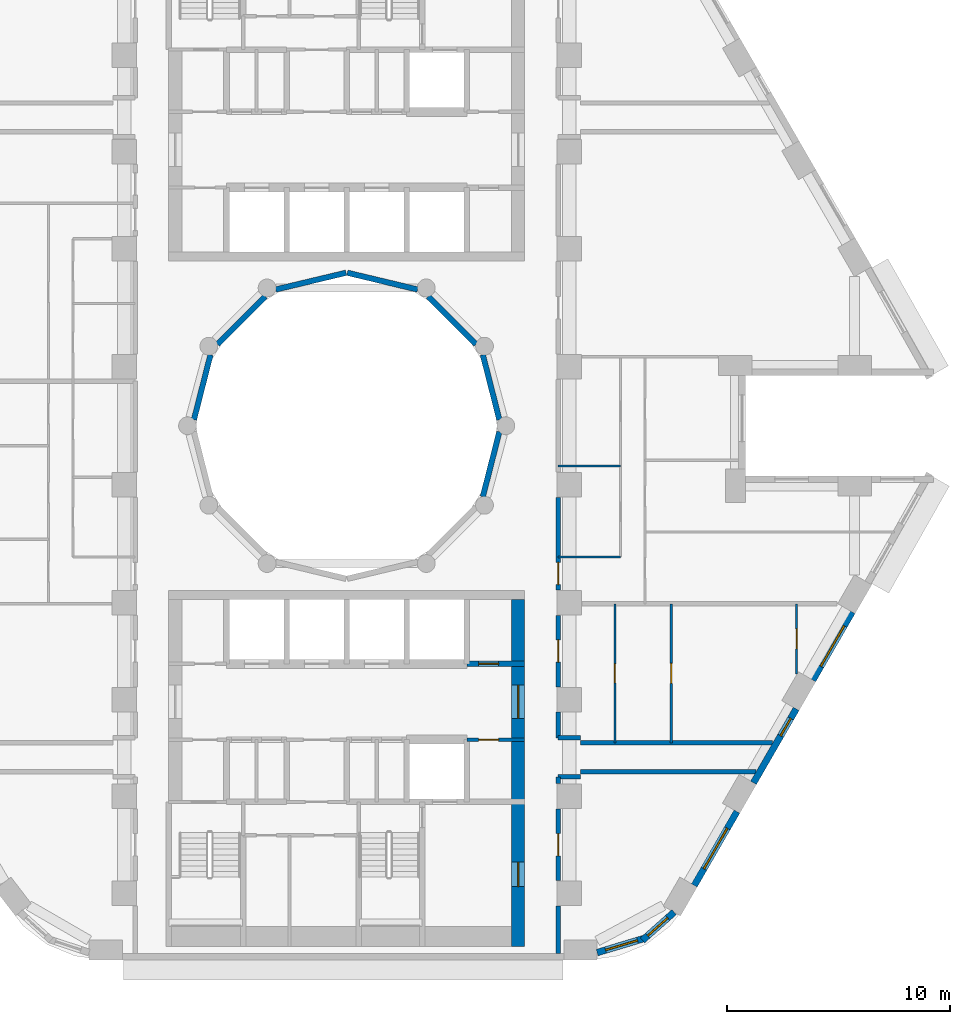
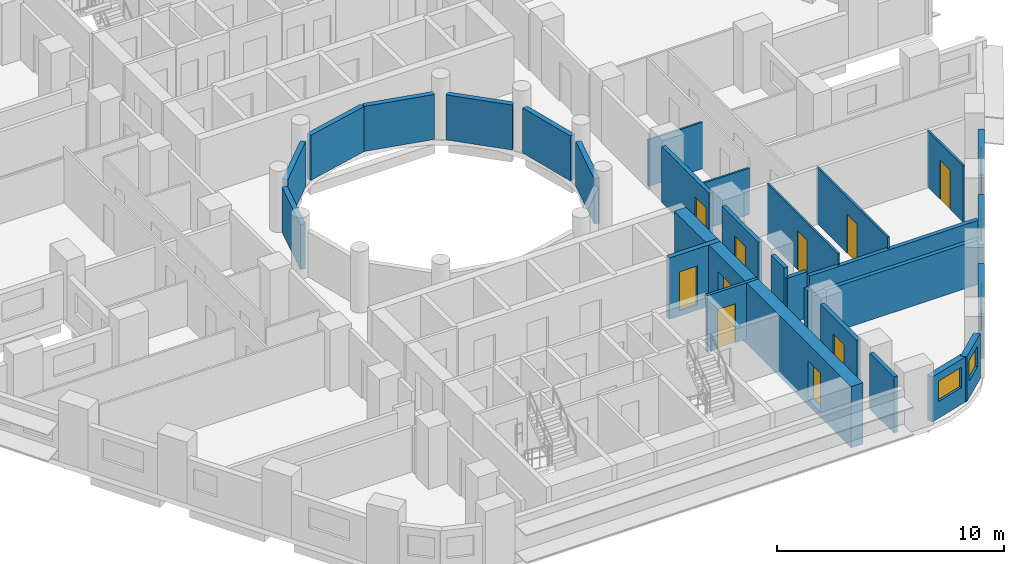
# One storey, part 5 of 12: 30 walls, 10 doors, 5 windows, 15 openings.
"""IFC4 building model written with IfcOpenShell, lengths in metres."""

from ifc_helpers import new_model, si_unit, direction, frame, frame_2d, origin, place, context, subcontext, project, spatial, rectangle, extrude, material, layer, layer_set, type_object, element, fill, save


model = new_model("IFC4")

# Units and contexts
model_context = context("Model", 3, precision=1e-05, world=origin(), true_north=direction((0.0, 1.0)))
body_context = subcontext(model_context, "Body", "Model", "MODEL_VIEW")
ifc_project = project(units=[si_unit("LENGTHUNIT", "METRE"), si_unit("AREAUNIT", "SQUARE_METRE"), si_unit("VOLUMEUNIT", "CUBIC_METRE"), si_unit("PLANEANGLEUNIT", "RADIAN"), si_unit("MASSUNIT", "GRAM", prefix="KILO")], contexts=[model_context])

# Site, building, storey
site_placement = place(None, origin())
site = spatial("IfcSite", under=ifc_project, at=site_placement, CompositionType="ELEMENT")
building_placement = place(site_placement, origin())
building = spatial("IfcBuilding", under=site, at=building_placement, Name="Nakaniwa Court", CompositionType="ELEMENT")
storey_placement = place(building_placement, frame((0.0, 0.0, 51.300048828125)))
storey = spatial("IfcBuildingStorey", under=building, at=storey_placement, Name="L13", CompositionType="ELEMENT", Elevation=51.300048828125)

# Wall
ifc_material_1 = material(Name="Acoustic double stud partition")
ifc_layer_1 = layer(ifc_material_1, 0.199951171875)
ifc_layer_set_1 = layer_set([ifc_layer_1], Name="Acoustic double stud partition")
wall_type_1 = type_object("IfcWallType", Name="Acoustic double stud partition 200", PredefinedType="PARTITIONING", material=ifc_layer_set_1)
wall_1_placement = place(storey_placement, frame((89.5, 56.300048828125, 0.0), z_axis=(0.0, 0.0, 1.0), x_axis=(0.0, 1.0, 0.0)))
element("IfcWall", 1, at=wall_1_placement, inside=storey, type_object=wall_type_1, Name="Partition PW-071", PredefinedType="PARTITIONING", context=body_context, shape_type="SweptSolid", body=[
    extrude(rectangle(XDim=2.133056640625, YDim=0.199951171875, at=frame_2d((1.06640625, 0.0))), origin(), (0.0, 0.0, 1.0), 3.02490234375),
])

# Wall, opening, door
wall_2_placement = place(storey_placement, frame((89.5, 62.782958984375, 0.0), z_axis=(0.0, 0.0, 1.0), x_axis=(0.0, -1.0, 0.0)))
wall_2 = element("IfcWall", 2, at=wall_2_placement, inside=storey, type_object=wall_type_1, Name="Partition PW-072", PredefinedType="PARTITIONING", context=body_context, shape_type="SweptSolid", body=[
    extrude(rectangle(XDim=3.216064453125, YDim=0.199951171875, at=frame_2d((1.60791015625, 0.0))), origin(), (0.0, 0.0, 1.0), 3.02490234375),
])
opening_1_placement = place(wall_2_placement, frame((1.10791015625, 0.0, 0.0)))
opening_1 = element("IfcOpeningElement", 3, at=opening_1_placement, cuts=wall_2, Name="Opening D-02-05", PredefinedType="OPENING", context=body_context, shape_type="SweptSolid", body=[
    extrude(rectangle(XDim=1.0, YDim=2.10009765625, at=frame_2d((0.5, 1.050048828125))), frame((0.0, 0.10986328125, 0.0), z_axis=(0.0, -1.0, 0.0), x_axis=(1.0, 0.0, 0.0)), (0.0, 0.0, 1.0), 0.219970703125),
])
ifc_material_2 = material(Name="Solid core timber door set, black veneer", Category="wood")
door_type_1 = type_object("IfcDoorType", Name="Internal door 1000", OperationType="NOTDEFINED", PredefinedType="DOOR", material=ifc_material_2)
door_1_placement = place(opening_1_placement, origin())
door_1 = element("IfcDoor", 4, at=door_1_placement, inside=storey, type_object=door_type_1, Name="Door D-02-05 L13-053", OperationType="SINGLE_SWING_RIGHT", OverallHeight=2.10009765625, OverallWidth=1.0, PredefinedType="DOOR", context=body_context, shape_type="SweptSolid", body=[
    extrude(rectangle(XDim=1.0, YDim=2.10009765625, at=frame_2d((0.5, 1.050048828125))), frame((0.0, 0.02490234375, 0.0), z_axis=(0.0, -1.0, 0.0), x_axis=(1.0, 0.0, 0.0)), (0.0, 0.0, 1.0), 0.050048828125),
])
fill(opening_1, door_1)

# Walls
wall_3_placement = place(storey_placement, frame((89.5, 63.9169921875, 0.0), z_axis=(0.0, 0.0, 1.0), x_axis=(0.0, 1.0, 0.0)))
element("IfcWall", 5, at=wall_3_placement, inside=storey, type_object=wall_type_1, Name="Partition PW-073", PredefinedType="PARTITIONING", context=body_context, shape_type="SweptSolid", body=[
    extrude(rectangle(XDim=0.31103515625, YDim=0.199951171875, at=frame_2d((0.155517578125, 0.0))), origin(), (0.0, 0.0, 1.0), 3.02490234375),
])
wall_4_placement = place(storey_placement, frame((89.5, 65.971923828125, 0.0), z_axis=(0.0, 0.0, 1.0), x_axis=(0.0, 1.0, 0.0)))
element("IfcWall", 6, at=wall_4_placement, inside=storey, type_object=wall_type_1, Name="Partition PW-074", PredefinedType="PARTITIONING", context=body_context, shape_type="SweptSolid", body=[
    extrude(rectangle(XDim=1.1611328125, YDim=0.199951171875, at=frame_2d((0.58056640625, 0.0))), origin(), (0.0, 0.0, 1.0), 3.02490234375),
])

# Wall, opening, door
wall_5_placement = place(storey_placement, frame((89.5, 71.48291015625, 0.0), z_axis=(0.0, 0.0, 1.0), x_axis=(0.0, -1.0, 0.0)))
wall_5 = element("IfcWall", 7, at=wall_5_placement, inside=storey, type_object=wall_type_1, Name="Partition PW-075", PredefinedType="PARTITIONING", context=body_context, shape_type="SweptSolid", body=[
    extrude(rectangle(XDim=3.2158203125, YDim=0.199951171875, at=frame_2d((1.60791015625, 0.0))), origin(), (0.0, 0.0, 1.0), 3.02490234375),
])
opening_2_placement = place(wall_5_placement, frame((1.10791015625, 0.0, 0.0)))
opening_2 = element("IfcOpeningElement", 8, at=opening_2_placement, cuts=wall_5, Name="Opening D-01-01", PredefinedType="OPENING", context=body_context, shape_type="SweptSolid", body=[
    extrude(rectangle(XDim=1.0, YDim=2.10009765625, at=frame_2d((0.5, 1.050048828125))), frame((0.0, 0.10986328125, 0.0), z_axis=(0.0, -1.0, 0.0), x_axis=(1.0, 0.0, 0.0)), (0.0, 0.0, 1.0), 0.219970703125),
])
door_type_2 = type_object("IfcDoorType", Name="Flat entrance door 1000", OperationType="NOTDEFINED", PredefinedType="DOOR", material=ifc_material_2)
door_2_placement = place(opening_2_placement, origin())
door_2 = element("IfcDoor", 9, at=door_2_placement, inside=storey, type_object=door_type_2, Name="Door D-01-01 L13-029", OperationType="SINGLE_SWING_RIGHT", OverallHeight=2.10009765625, OverallWidth=1.0, PredefinedType="DOOR", context=body_context, shape_type="SweptSolid", body=[
    extrude(rectangle(XDim=1.0, YDim=2.10009765625, at=frame_2d((0.5, 1.050048828125))), frame((0.0, 0.02490234375, 0.0), z_axis=(0.0, -1.0, 0.0), x_axis=(1.0, 0.0, 0.0)), (0.0, 0.0, 1.0), 0.050048828125),
])
fill(opening_2, door_2)

wall_6_placement = place(storey_placement, frame((89.5, 76.782958984375, 0.0), z_axis=(0.0, 0.0, 1.0), x_axis=(0.0, -1.0, 0.0)))
wall_6 = element("IfcWall", 10, at=wall_6_placement, inside=storey, type_object=wall_type_1, Name="Partition PW-076", PredefinedType="PARTITIONING", context=body_context, shape_type="SweptSolid", body=[
    extrude(rectangle(XDim=4.166015625, YDim=0.199951171875, at=frame_2d((2.0830078125, 0.0))), origin(), (0.0, 0.0, 1.0), 3.02490234375),
])
opening_3_placement = place(wall_6_placement, frame((2.923095703125, 0.0, 0.0)))
opening_3 = element("IfcOpeningElement", 11, at=opening_3_placement, cuts=wall_6, Name="Opening D-01-02", PredefinedType="OPENING", context=body_context, shape_type="SweptSolid", body=[
    extrude(rectangle(XDim=1.0, YDim=2.10009765625, at=frame_2d((0.5, 1.050048828125))), frame((0.0, 0.10986328125, 0.0), z_axis=(0.0, -1.0, 0.0), x_axis=(1.0, 0.0, 0.0)), (0.0, 0.0, 1.0), 0.219970703125),
])
door_3_placement = place(opening_3_placement, origin())
door_3 = element("IfcDoor", 12, at=door_3_placement, inside=storey, type_object=door_type_2, Name="Door D-01-02 L13-033", OperationType="SINGLE_SWING_RIGHT", OverallHeight=2.10009765625, OverallWidth=1.0, PredefinedType="DOOR", context=body_context, shape_type="SweptSolid", body=[
    extrude(rectangle(XDim=1.0, YDim=2.10009765625, at=frame_2d((0.5, 1.050048828125))), frame((0.0, 0.02490234375, 0.0), z_axis=(0.0, -1.0, 0.0), x_axis=(1.0, 0.0, 0.0)), (0.0, 0.0, 1.0), 0.050048828125),
])
fill(opening_3, door_3)

# Walls
wall_7_placement = place(storey_placement, frame((89.5, 65.97509765625, 0.0), z_axis=(0.0, 0.0, 1.0), x_axis=(1.0, 0.0, 0.0)))
element("IfcWall", 13, at=wall_7_placement, inside=storey, type_object=wall_type_1, Name="Partition PW-092", PredefinedType="PARTITIONING", context=body_context, shape_type="SweptSolid", body=[
    extrude(rectangle(XDim=1.0, YDim=0.199951171875, at=frame_2d((0.5, 0.0))), origin(), (0.0, 0.0, 1.0), 2.5048828125),
])
wall_8_placement = place(storey_placement, frame((90.5, 65.75, 0.0), z_axis=(0.0, 0.0, 1.0), x_axis=(1.0, 0.0, 0.0)))
element("IfcWall", 14, at=wall_8_placement, inside=storey, type_object=wall_type_1, Name="Partition PW-094", PredefinedType="PARTITIONING", context=body_context, shape_type="SweptSolid", body=[
    extrude(rectangle(XDim=8.63916015625, YDim=0.199951171875, at=frame_2d((4.319580078125, 0.0))), origin(), (0.0, 0.0, 1.0), 2.405029296875),
])
wall_9_placement = place(storey_placement, frame((90.5, 64.449951171875, 0.0), z_axis=(0.0, 0.0, 1.0), x_axis=(1.0, 0.0, 0.0)))
element("IfcWall", 15, at=wall_9_placement, inside=storey, type_object=wall_type_1, Name="Partition PW-096", PredefinedType="PARTITIONING", context=body_context, shape_type="SweptSolid", body=[
    extrude(rectangle(XDim=7.888671875, YDim=0.199951171875, at=frame_2d((3.9443359375, 0.0))), origin(), (0.0, 0.0, 1.0), 2.405029296875),
])
wall_10_placement = place(storey_placement, frame((89.5, 64.22509765625, 0.0), z_axis=(0.0, 0.0, 1.0), x_axis=(1.0, 0.0, 0.0)))
element("IfcWall", 16, at=wall_10_placement, inside=storey, type_object=wall_type_1, Name="Partition PW-098", PredefinedType="PARTITIONING", context=body_context, shape_type="SweptSolid", body=[
    extrude(rectangle(XDim=1.0, YDim=0.199951171875, at=frame_2d((0.5, 0.0))), origin(), (0.0, 0.0, 1.0), 2.5048828125),
])

# Wall, opening, window
ifc_material_3 = material(Name="Charcoal ceramic cladding")
ifc_layer_2 = layer(ifc_material_3, 0.02, Name="Ceramic cladding")
ifc_material_4 = material(Name="Ventilated air cavity")
ifc_layer_3 = layer(ifc_material_4, 0.04, ventilated=True, Name="Ventilated cavity")
ifc_material_5 = material(Name="Mineral wool insulation")
ifc_layer_4 = layer(ifc_material_5, 0.1, Name="Insulation")
ifc_material_6 = material(Name="Cement bonded sheathing board")
ifc_layer_5 = layer(ifc_material_6, 0.012, Name="Sheathing")
ifc_material_7 = material(Name="Cold-formed galvanised stud frame with mineral wool infill")
ifc_layer_6 = layer(ifc_material_7, 0.1, Name="Stud frame")
ifc_material_8 = material(Name="Fire-rated gypsum plasterboard lining")
ifc_layer_7 = layer(ifc_material_8, 0.028, Name="Lining")
ifc_layer_set_2 = layer_set([ifc_layer_2, ifc_layer_3, ifc_layer_4, ifc_layer_5, ifc_layer_6, ifc_layer_7], Name="Charcoal ceramic faced external wall system")
wall_type_2 = type_object("IfcWallType", Name="Black ceramic faced external wall 300", PredefinedType="SOLIDWALL", material=ifc_layer_set_2)
wall_11_placement = place(storey_placement, frame((91.25341796875, 56.331298828125, 0.0), z_axis=(0.0, 0.0, 1.0), x_axis=(0.957433631901, 0.288653495569, 0.0)))
wall_11 = element("IfcWall", 17, at=wall_11_placement, inside=storey, type_object=wall_type_2, Name="L13 external wall 27", PredefinedType="SOLIDWALL", context=body_context, shape_type="SweptSolid", body=[
    extrude(rectangle(XDim=2.212646484375, YDim=0.300048828125, at=frame_2d((1.1064453125, 0.0))), origin(), (0.0, 0.0, 1.0), 2.425048828125),
])
opening_4_placement = place(wall_11_placement, frame((0.394287109375, 0.0, 0.89990234375)))
opening_4 = element("IfcOpeningElement", 18, at=opening_4_placement, cuts=wall_11, Name="Opening W5.27", PredefinedType="OPENING", context=body_context, shape_type="SweptSolid", body=[
    extrude(rectangle(XDim=1.5, YDim=1.10009765625, at=frame_2d((0.75, 0.550048828125))), frame((0.0, 0.159912109375, 0.0), z_axis=(0.0, -1.0, 0.0), x_axis=(1.0, 0.0, 0.0)), (0.0, 0.0, 1.0), 0.320068359375),
])
ifc_material_9 = material(Name="Black anodised aluminium frame with dark low-E laminated double glazing", Category="aluminium")
window_type_1 = type_object("IfcWindowType", Name="Dark glass window 1500x1100 sill 900", PartitioningType="SINGLE_PANEL", PredefinedType="WINDOW", material=ifc_material_9)
window_1_placement = place(opening_4_placement, origin())
window_1 = element("IfcWindow", 19, at=window_1_placement, inside=storey, type_object=window_type_1, Name="L13 habitable room window 27-0", OverallHeight=1.10009765625, OverallWidth=1.5, PartitioningType="SINGLE_PANEL", PredefinedType="WINDOW", context=body_context, shape_type="SweptSolid", body=[
    extrude(rectangle(XDim=1.5, YDim=1.10009765625, at=frame_2d((0.75, 0.550048828125))), frame((0.0, 0.030029296875, 0.0), z_axis=(0.0, -1.0, 0.0), x_axis=(1.0, 0.0, 0.0)), (0.0, 0.0, 1.0), 0.06005859375),
])
fill(opening_4, window_1)

wall_12_placement = place(storey_placement, frame((93.288818359375, 56.882568359375, 0.0), z_axis=(0.0, 0.0, 1.0), x_axis=(0.746941556212, 0.664889698825, 0.0)))
wall_12 = element("IfcWall", 20, at=wall_12_placement, inside=storey, type_object=wall_type_2, Name="L13 external wall 28", PredefinedType="SOLIDWALL", context=body_context, shape_type="SweptSolid", body=[
    extrude(rectangle(XDim=1.9013671875, YDim=0.300048828125, at=frame_2d((0.95068359375, 0.0))), origin(), (0.0, 0.0, 1.0), 2.425048828125),
])
opening_5_placement = place(wall_12_placement, frame((0.31005859375, 0.0, 0.89990234375)))
opening_5 = element("IfcOpeningElement", 21, at=opening_5_placement, cuts=wall_12, Name="Opening W6.28", PredefinedType="OPENING", context=body_context, shape_type="SweptSolid", body=[
    extrude(rectangle(XDim=1.199951171875, YDim=1.10009765625, at=frame_2d((0.60009765625, 0.550048828125))), frame((0.0, 0.159912109375, 0.0), z_axis=(0.0, -1.0, 0.0), x_axis=(1.0, 0.0, 0.0)), (0.0, 0.0, 1.0), 0.320068359375),
])
window_type_2 = type_object("IfcWindowType", Name="Dark glass window 1200x1100 sill 900", PartitioningType="SINGLE_PANEL", PredefinedType="WINDOW", material=ifc_material_9)
window_2_placement = place(opening_5_placement, origin())
window_2 = element("IfcWindow", 22, at=window_2_placement, inside=storey, type_object=window_type_2, Name="L13 habitable room window 28-0", OverallHeight=1.10009765625, OverallWidth=1.199951171875, PartitioningType="SINGLE_PANEL", PredefinedType="WINDOW", context=body_context, shape_type="SweptSolid", body=[
    extrude(rectangle(XDim=1.199951171875, YDim=1.10009765625, at=frame_2d((0.60009765625, 0.550048828125))), frame((0.0, 0.030029296875, 0.0), z_axis=(0.0, -1.0, 0.0), x_axis=(1.0, 0.0, 0.0)), (0.0, 0.0, 1.0), 0.06005859375),
])
fill(opening_5, window_2)

wall_13_placement = place(storey_placement, frame((95.615234375, 59.346435546875, 0.0), z_axis=(0.0, 0.0, 1.0), x_axis=(0.499974163209, 0.866040320149, 0.0)))
wall_13 = element("IfcWall", 23, at=wall_13_placement, inside=storey, type_object=wall_type_2, Name="L13 external wall 29", PredefinedType="SOLIDWALL", context=body_context, shape_type="SweptSolid", body=[
    extrude(rectangle(XDim=3.834228515625, YDim=0.300048828125, at=frame_2d((1.9169921875, 0.0))), origin(), (0.0, 0.0, 1.0), 2.425048828125),
])
opening_6_placement = place(wall_13_placement, frame((0.866943359375, 0.0, 0.89990234375)))
opening_6 = element("IfcOpeningElement", 24, at=opening_6_placement, cuts=wall_13, Name="Opening W7.29", PredefinedType="OPENING", context=body_context, shape_type="SweptSolid", body=[
    extrude(rectangle(XDim=2.10009765625, YDim=1.10009765625, at=frame_2d((1.050048828125, 0.550048828125))), frame((0.0, 0.159912109375, 0.0), z_axis=(0.0, -1.0, 0.0), x_axis=(1.0, 0.0, 0.0)), (0.0, 0.0, 1.0), 0.320068359375),
])
window_type_3 = type_object("IfcWindowType", Name="Dark glass window 2100x1100 sill 900", PartitioningType="SINGLE_PANEL", PredefinedType="WINDOW", material=ifc_material_9)
window_3_placement = place(opening_6_placement, origin())
window_3 = element("IfcWindow", 25, at=window_3_placement, inside=storey, type_object=window_type_3, Name="L13 habitable room window 29-0", OverallHeight=1.10009765625, OverallWidth=2.10009765625, PartitioningType="SINGLE_PANEL", PredefinedType="WINDOW", context=body_context, shape_type="SweptSolid", body=[
    extrude(rectangle(XDim=2.10009765625, YDim=1.10009765625, at=frame_2d((1.050048828125, 0.550048828125))), frame((0.0, 0.030029296875, 0.0), z_axis=(0.0, -1.0, 0.0), x_axis=(1.0, 0.0, 0.0)), (0.0, 0.0, 1.0), 0.06005859375),
])
fill(opening_6, window_3)

wall_14_placement = place(storey_placement, frame((98.2783203125, 63.958984375, 0.0), z_axis=(0.0, 0.0, 1.0), x_axis=(0.500001735503, 0.866024401789, 0.0)))
wall_14 = element("IfcWall", 26, at=wall_14_placement, inside=storey, type_object=wall_type_2, Name="L13 external wall 30", PredefinedType="SOLIDWALL", context=body_context, shape_type="SweptSolid", body=[
    extrude(rectangle(XDim=3.833984375, YDim=0.300048828125, at=frame_2d((1.9169921875, 0.0))), origin(), (0.0, 0.0, 1.0), 2.425048828125),
])
opening_7_placement = place(wall_14_placement, frame((2.43994140625, 0.0, 0.89990234375)))
opening_7 = element("IfcOpeningElement", 27, at=opening_7_placement, cuts=wall_14, Name="Opening W9.30", PredefinedType="OPENING", context=body_context, shape_type="SweptSolid", body=[
    extrude(rectangle(XDim=0.89990234375, YDim=1.10009765625, at=frame_2d((0.449951171875, 0.550048828125))), frame((0.0, 0.159912109375, 0.0), z_axis=(0.0, -1.0, 0.0), x_axis=(1.0, 0.0, 0.0)), (0.0, 0.0, 1.0), 0.320068359375),
])
window_type_4 = type_object("IfcWindowType", Name="Dark glass window 900x1100 sill 900", PartitioningType="SINGLE_PANEL", PredefinedType="WINDOW", material=ifc_material_9)
window_4_placement = place(opening_7_placement, origin())
window_4 = element("IfcWindow", 28, at=window_4_placement, inside=storey, type_object=window_type_4, Name="L13 living window 30-2", OverallHeight=1.10009765625, OverallWidth=0.89990234375, PartitioningType="SINGLE_PANEL", PredefinedType="WINDOW", context=body_context, shape_type="SweptSolid", body=[
    extrude(rectangle(XDim=0.89990234375, YDim=1.10009765625, at=frame_2d((0.449951171875, 0.550048828125))), frame((0.0, 0.030029296875, 0.0), z_axis=(0.0, -1.0, 0.0), x_axis=(1.0, 0.0, 0.0)), (0.0, 0.0, 1.0), 0.06005859375),
])
fill(opening_7, window_4)

wall_15_placement = place(storey_placement, frame((100.94140625, 68.5712890625, 0.0), z_axis=(0.0, 0.0, 1.0), x_axis=(0.499977402622, 0.866038449993, 0.0)))
wall_15 = element("IfcWall", 29, at=wall_15_placement, inside=storey, type_object=wall_type_2, Name="L13 external wall 31", PredefinedType="SOLIDWALL", context=body_context, shape_type="SweptSolid", body=[
    extrude(rectangle(XDim=3.536865234375, YDim=0.300048828125, at=frame_2d((1.7685546875, 0.0))), origin(), (0.0, 0.0, 1.0), 2.425048828125),
])
opening_8_placement = place(wall_15_placement, frame((0.718505859375, 0.0, 0.89990234375)))
opening_8 = element("IfcOpeningElement", 30, at=opening_8_placement, cuts=wall_15, Name="Opening W7.31", PredefinedType="OPENING", context=body_context, shape_type="SweptSolid", body=[
    extrude(rectangle(XDim=2.10009765625, YDim=1.10009765625, at=frame_2d((1.050048828125, 0.550048828125))), frame((0.0, 0.159912109375, 0.0), z_axis=(0.0, -1.0, 0.0), x_axis=(1.0, 0.0, 0.0)), (0.0, 0.0, 1.0), 0.320068359375),
])
window_5_placement = place(opening_8_placement, origin())
window_5 = element("IfcWindow", 31, at=window_5_placement, inside=storey, type_object=window_type_3, Name="L13 habitable room window 31-0", OverallHeight=1.10009765625, OverallWidth=2.10009765625, PartitioningType="SINGLE_PANEL", PredefinedType="WINDOW", context=body_context, shape_type="SweptSolid", body=[
    extrude(rectangle(XDim=2.10009765625, YDim=1.10009765625, at=frame_2d((1.050048828125, 0.550048828125))), frame((0.0, 0.030029296875, 0.0), z_axis=(0.0, -1.0, 0.0), x_axis=(1.0, 0.0, 0.0)), (0.0, 0.0, 1.0), 0.06005859375),
])
fill(opening_8, window_5)

# Wall, opening, door
ifc_material_10 = material(Name="Blockwork partition", Category="masonry")
ifc_layer_8 = layer(ifc_material_10, 0.14990234375)
ifc_layer_set_3 = layer_set([ifc_layer_8], Name="Blockwork partition")
wall_type_3 = type_object("IfcWallType", Name="Blockwork partition 150", PredefinedType="PARTITIONING", material=ifc_layer_set_3)
wall_16_placement = place(storey_placement, frame((88.0, 65.89990234375, 0.0), z_axis=(0.0, 0.0, 1.0), x_axis=(-1.0, 0.0, 0.0)))
wall_16 = element("IfcWall", 32, at=wall_16_placement, inside=storey, type_object=wall_type_3, Name="Partition PW-053", PredefinedType="PARTITIONING", context=body_context, shape_type="SweptSolid", body=[
    extrude(rectangle(XDim=2.60302734375, YDim=0.14990234375, at=frame_2d((1.301513671875, 0.0))), origin(), (0.0, 0.0, 1.0), 3.02490234375),
])
opening_9_placement = place(wall_16_placement, frame((1.175048828125, 0.0, 0.0)))
opening_9 = element("IfcOpeningElement", 33, at=opening_9_placement, cuts=wall_16, Name="Opening D-05-16", PredefinedType="OPENING", context=body_context, shape_type="SweptSolid", body=[
    extrude(rectangle(XDim=0.89990234375, YDim=2.10009765625, at=frame_2d((0.449951171875, 1.050048828125))), frame((0.0, 0.0849609375, 0.0), z_axis=(0.0, -1.0, 0.0), x_axis=(1.0, 0.0, 0.0)), (0.0, 0.0, 1.0), 0.169921875),
])
ifc_material_11 = material(Name="Fire rated steel door set", Category="steel")
door_type_3 = type_object("IfcDoorType", Name="Service room door 900", OperationType="NOTDEFINED", PredefinedType="DOOR", material=ifc_material_11)
door_4_placement = place(opening_9_placement, origin())
door_4 = element("IfcDoor", 34, at=door_4_placement, inside=storey, type_object=door_type_3, Name="Door D-05-16 L13-023", OperationType="SINGLE_SWING_RIGHT", OverallHeight=2.10009765625, OverallWidth=0.89990234375, PredefinedType="DOOR", context=body_context, shape_type="SweptSolid", body=[
    extrude(rectangle(XDim=0.89990234375, YDim=2.10009765625, at=frame_2d((0.449951171875, 1.050048828125))), frame((0.0, 0.02490234375, 0.0), z_axis=(0.0, -1.0, 0.0), x_axis=(1.0, 0.0, 0.0)), (0.0, 0.0, 1.0), 0.050048828125),
])
fill(opening_9, door_4)

# Walls
ifc_layer_9 = layer(ifc_material_3, 0.02, Name="Ceramic cladding")
ifc_layer_10 = layer(ifc_material_4, 0.04, ventilated=True, Name="Ventilated cavity")
ifc_layer_11 = layer(ifc_material_5, 0.075, Name="Insulation")
ifc_layer_12 = layer(ifc_material_6, 0.012, Name="Sheathing")
ifc_layer_13 = layer(ifc_material_7, 0.075, Name="Stud frame")
ifc_layer_14 = layer(ifc_material_8, 0.028, Name="Lining")
ifc_layer_set_4 = layer_set([ifc_layer_9, ifc_layer_10, ifc_layer_11, ifc_layer_12, ifc_layer_13, ifc_layer_14], Name="Charcoal ceramic faced external wall system")
wall_type_4 = type_object("IfcWallType", Name="Charcoal ceramic faced well wall 250", PredefinedType="SOLIDWALL", material=ifc_layer_set_4)
for number, where, z_axis, x_axis, name in (
    (35, (86.8603515625, 79.72998046875, 0.0), (0.0, 0.0, 1.0), (-0.247055971283, -0.969001211069, 0.0), "L13 external wall 36"),
    (36, (73.1396484375, 80.27001953125, 0.0), (0.0, 0.0, 1.0), (0.247055971283, 0.969001211069, 0.0), "L13 external wall 42"),
):
    element("IfcWall", number, at=place(storey_placement, frame(where, z_axis=z_axis, x_axis=x_axis)), inside=storey, type_object=wall_type_4, Name=name, PredefinedType="SOLIDWALL", context=body_context, shape_type="SweptSolid", body=[
        extrude(rectangle(XDim=3.010009765625, YDim=0.25, at=frame_2d((1.5048828125, 0.0))), origin(), (0.0, 0.0, 1.0), 2.425048828125),
    ])
wall_17_placement = place(storey_placement, frame((74.1943359375, 83.660888671875, 0.0), z_axis=(0.0, 0.0, 1.0), x_axis=(0.707106781187, 0.707106781187, 0.0)))
element("IfcWall", 37, at=wall_17_placement, inside=storey, type_object=wall_type_4, Name="L13 external wall 43", PredefinedType="SOLIDWALL", context=body_context, shape_type="SweptSolid", body=[
    extrude(rectangle(XDim=3.033203125, YDim=0.25, at=frame_2d((1.5166015625, 0.0))), origin(), (0.0, 0.0, 1.0), 2.425048828125),
])
for number, where, z_axis, x_axis, name in (
    (38, (76.813720703125, 86.119384765625, 0.0), (0.0, 0.0, 1.0), (0.972773113459, 0.231759508395, 0.0), "L13 external wall 44"),
    (39, (80.029052734375, 86.87158203125, 0.0), (0.0, 0.0, 1.0), (0.972773113459, -0.231759508395, 0.0), "L13 external wall 45"),
):
    element("IfcWall", number, at=place(storey_placement, frame(where, z_axis=z_axis, x_axis=x_axis)), inside=storey, type_object=wall_type_4, Name=name, PredefinedType="SOLIDWALL", context=body_context, shape_type="SweptSolid", body=[
        extrude(rectangle(XDim=3.24560546875, YDim=0.25, at=frame_2d((1.622802734375, 0.0))), origin(), (0.0, 0.0, 1.0), 2.425048828125),
    ])
wall_18_placement = place(storey_placement, frame((83.660888671875, 85.8056640625, 0.0), z_axis=(0.0, 0.0, 1.0), x_axis=(0.707106781187, -0.707106781187, 0.0)))
element("IfcWall", 40, at=wall_18_placement, inside=storey, type_object=wall_type_4, Name="L13 external wall 46", PredefinedType="SOLIDWALL", context=body_context, shape_type="SweptSolid", body=[
    extrude(rectangle(XDim=3.033203125, YDim=0.25, at=frame_2d((1.5166015625, 0.0))), origin(), (0.0, 0.0, 1.0), 2.425048828125),
])
wall_19_placement = place(storey_placement, frame((86.11669921875, 83.186767578125, 0.0), z_axis=(0.0, 0.0, 1.0), x_axis=(0.247055971283, -0.969001211069, 0.0)))
element("IfcWall", 41, at=wall_19_placement, inside=storey, type_object=wall_type_4, Name="L13 external wall 47", PredefinedType="SOLIDWALL", context=body_context, shape_type="SweptSolid", body=[
    extrude(rectangle(XDim=3.010009765625, YDim=0.25, at=frame_2d((1.5048828125, 0.0))), origin(), (0.0, 0.0, 1.0), 2.425048828125),
])

# Wall, openings, doors
ifc_material_12 = material(Name="Concrete C100/115", Category="concrete")
ifc_layer_15 = layer(ifc_material_12, 0.60009765625)
ifc_layer_set_5 = layer_set([ifc_layer_15], Name="Concrete C100/115")
wall_type_5 = type_object("IfcWallType", Name="Concrete core side wall 600 C100", PredefinedType="SHEAR", material=ifc_layer_set_5)
wall_20_placement = place(storey_placement, frame((87.699951171875, 72.199951171875, -0.275146484375), z_axis=(0.0, 0.0, 1.0), x_axis=(0.0, -1.0, 0.0)))
wall_20 = element("IfcWall", 42, at=wall_20_placement, inside=storey, type_object=wall_type_5, Name="Core wall SW-50", PredefinedType="SHEAR", context=body_context, shape_type="SweptSolid", body=[
    extrude(rectangle(XDim=15.599853515625, YDim=0.60009765625, at=frame_2d((7.7998046875, 0.0))), origin(), (0.0, 0.0, 1.0), 3.300048828125),
])
opening_10_placement = place(wall_20_placement, frame((3.85009765625, 0.0, 0.27490234375)))
opening_10 = element("IfcOpeningElement", 43, at=opening_10_placement, cuts=wall_20, Name="Opening D-07-03", PredefinedType="OPENING", context=body_context, shape_type="SweptSolid", body=[
    extrude(rectangle(XDim=1.5, YDim=2.10009765625, at=frame_2d((0.75, 1.050048828125))), frame((0.0, 0.31005859375, 0.0), z_axis=(0.0, -1.0, 0.0), x_axis=(1.0, 0.0, 0.0)), (0.0, 0.0, 1.0), 0.6201171875),
])
opening_11_placement = place(wall_20_placement, frame((11.800048828125, 0.0, 0.27490234375)))
opening_11 = element("IfcOpeningElement", 44, at=opening_11_placement, cuts=wall_20, Name="Opening D-10-02", PredefinedType="OPENING", context=body_context, shape_type="SweptSolid", body=[
    extrude(rectangle(XDim=1.10009765625, YDim=2.10009765625, at=frame_2d((0.550048828125, 1.050048828125))), frame((0.0, 0.31005859375, 0.0), z_axis=(0.0, -1.0, 0.0), x_axis=(1.0, 0.0, 0.0)), (0.0, 0.0, 1.0), 0.6201171875),
])
door_type_4 = type_object("IfcDoorType", Name="Firefighting lobby door 1100", OperationType="NOTDEFINED", PredefinedType="DOOR", material=ifc_material_11)
door_5_placement = place(opening_11_placement, origin())
door_5 = element("IfcDoor", 45, at=door_5_placement, inside=storey, type_object=door_type_4, Name="Door D-10-02 L13-061", OperationType="SINGLE_SWING_RIGHT", OverallHeight=2.10009765625, OverallWidth=1.10009765625, PredefinedType="DOOR", context=body_context, shape_type="SweptSolid", body=[
    extrude(rectangle(XDim=1.10009765625, YDim=2.10009765625, at=frame_2d((0.550048828125, 1.050048828125))), frame((0.0, 0.02490234375, 0.0), z_axis=(0.0, -1.0, 0.0), x_axis=(1.0, 0.0, 0.0)), (0.0, 0.0, 1.0), 0.050048828125),
])
fill(opening_11, door_5)
ifc_material_13 = material(Name="Glazed fire rated steel double door set", Category="steel")
door_type_5 = type_object("IfcDoorType", Name="Lobby double door 1500", OperationType="NOTDEFINED", PredefinedType="DOOR", material=ifc_material_13)
door_6_placement = place(opening_10_placement, origin())
door_6 = element("IfcDoor", 46, at=door_6_placement, inside=storey, type_object=door_type_5, Name="Door D-07-03 L13-059", OperationType="DOUBLE_DOOR_SINGLE_SWING", OverallHeight=2.10009765625, OverallWidth=1.5, PredefinedType="DOOR", context=body_context, shape_type="SweptSolid", body=[
    extrude(rectangle(XDim=1.5, YDim=2.10009765625, at=frame_2d((0.75, 1.050048828125))), frame((0.0, 0.02490234375, 0.0), z_axis=(0.0, -1.0, 0.0), x_axis=(1.0, 0.0, 0.0)), (0.0, 0.0, 1.0), 0.050048828125),
])
fill(opening_10, door_6)

# Wall, opening, door
ifc_layer_16 = layer(ifc_material_12, 0.25)
ifc_layer_set_6 = layer_set([ifc_layer_16], Name="Concrete C100/115")
wall_type_6 = type_object("IfcWallType", Name="Concrete shaft wall 250 C100", PredefinedType="SHEAR", material=ifc_layer_set_6)
wall_21_placement = place(storey_placement, frame((85.39990234375, 69.300048828125, -0.275146484375), z_axis=(0.0, 0.0, 1.0), x_axis=(1.0, 0.0, 0.0)))
wall_21 = element("IfcWall", 47, at=wall_21_placement, inside=storey, type_object=wall_type_6, Name="Core wall SW-49", PredefinedType="SHEAR", context=body_context, shape_type="SweptSolid", body=[
    extrude(rectangle(XDim=2.60009765625, YDim=0.25, at=frame_2d((1.300048828125, 0.0))), origin(), (0.0, 0.0, 1.0), 3.300048828125),
])
opening_12_placement = place(wall_21_placement, frame((0.52490234375, 0.0, 0.27490234375)))
opening_12 = element("IfcOpeningElement", 48, at=opening_12_placement, cuts=wall_21, Name="Opening D-05-11", PredefinedType="OPENING", context=body_context, shape_type="SweptSolid", body=[
    extrude(rectangle(XDim=0.89990234375, YDim=2.10009765625, at=frame_2d((0.449951171875, 1.050048828125))), frame((0.0, 0.135009765625, 0.0), z_axis=(0.0, -1.0, 0.0), x_axis=(1.0, 0.0, 0.0)), (0.0, 0.0, 1.0), 0.27001953125),
])
door_7_placement = place(opening_12_placement, origin())
door_7 = element("IfcDoor", 49, at=door_7_placement, inside=storey, type_object=door_type_3, Name="Door D-05-11 L13-016", OperationType="SINGLE_SWING_LEFT", OverallHeight=2.10009765625, OverallWidth=0.89990234375, PredefinedType="DOOR", context=body_context, shape_type="SweptSolid", body=[
    extrude(rectangle(XDim=0.89990234375, YDim=2.10009765625, at=frame_2d((0.449951171875, 1.050048828125))), frame((0.0, 0.02490234375, 0.0), z_axis=(0.0, -1.0, 0.0), x_axis=(1.0, 0.0, 0.0)), (0.0, 0.0, 1.0), 0.050048828125),
])
fill(opening_12, door_7)

ifc_material_14 = material(Name="Single stud plasterboard partition")
ifc_layer_17 = layer(ifc_material_14, 0.10009765625)
ifc_layer_set_7 = layer_set([ifc_layer_17], Name="Single stud plasterboard partition")
wall_type_7 = type_object("IfcWallType", Name="Single stud plasterboard partition 100", PredefinedType="PARTITIONING", material=ifc_layer_set_7)
wall_22_placement = place(storey_placement, frame((92.050048828125, 72.0, 0.0), z_axis=(0.0, 0.0, 1.0), x_axis=(0.0, -1.0, 0.0)))
wall_22 = element("IfcWall", 50, at=wall_22_placement, inside=storey, type_object=wall_type_7, Name="Partition PW-111", PredefinedType="PARTITIONING", context=body_context, shape_type="SweptSolid", body=[
    extrude(rectangle(XDim=6.25, YDim=0.10009765625, at=frame_2d((3.125, 0.0))), origin(), (0.0, 0.0, 1.0), 3.02490234375),
])
opening_13_placement = place(wall_22_placement, frame((2.699951171875, 0.0, 0.0)))
opening_13 = element("IfcOpeningElement", 51, at=opening_13_placement, cuts=wall_22, Name="Opening D-03-01", PredefinedType="OPENING", context=body_context, shape_type="SweptSolid", body=[
    extrude(rectangle(XDim=0.85009765625, YDim=2.10009765625, at=frame_2d((0.425048828125, 1.050048828125))), frame((0.0, 0.06005859375, 0.0), z_axis=(0.0, -1.0, 0.0), x_axis=(1.0, 0.0, 0.0)), (0.0, 0.0, 1.0), 0.1201171875),
])
ifc_material_15 = material(Name="Moisture sealed timber door set", Category="wood")
door_type_6 = type_object("IfcDoorType", Name="Bathroom door 850", OperationType="NOTDEFINED", PredefinedType="DOOR", material=ifc_material_15)
door_8_placement = place(opening_13_placement, origin())
door_8 = element("IfcDoor", 52, at=door_8_placement, inside=storey, type_object=door_type_6, Name="Door D-03-01 L13-030", OperationType="SINGLE_SWING_LEFT", OverallHeight=2.10009765625, OverallWidth=0.85009765625, PredefinedType="DOOR", context=body_context, shape_type="SweptSolid", body=[
    extrude(rectangle(XDim=0.85009765625, YDim=2.10009765625, at=frame_2d((0.425048828125, 1.050048828125))), frame((0.0, 0.02490234375, 0.0), z_axis=(0.0, -1.0, 0.0), x_axis=(1.0, 0.0, 0.0)), (0.0, 0.0, 1.0), 0.050048828125),
])
fill(opening_13, door_8)

wall_23_placement = place(storey_placement, frame((94.583984375, 72.0, 0.0), z_axis=(0.0, 0.0, 1.0), x_axis=(0.0, -1.0, 0.0)))
wall_23 = element("IfcWall", 53, at=wall_23_placement, inside=storey, type_object=wall_type_7, Name="Partition PW-113", PredefinedType="PARTITIONING", context=body_context, shape_type="SweptSolid", body=[
    extrude(rectangle(XDim=6.25, YDim=0.10009765625, at=frame_2d((3.125, 0.0))), origin(), (0.0, 0.0, 1.0), 3.02490234375),
])
opening_14_placement = place(wall_23_placement, frame((2.675048828125, 0.0, 0.0)))
opening_14 = element("IfcOpeningElement", 54, at=opening_14_placement, cuts=wall_23, Name="Opening D-33-01", PredefinedType="OPENING", context=body_context, shape_type="SweptSolid", body=[
    extrude(rectangle(XDim=0.89990234375, YDim=2.10009765625, at=frame_2d((0.449951171875, 1.050048828125))), frame((0.0, 0.06005859375, 0.0), z_axis=(0.0, -1.0, 0.0), x_axis=(1.0, 0.0, 0.0)), (0.0, 0.0, 1.0), 0.1201171875),
])
door_type_7 = type_object("IfcDoorType", Name="Internal door 900", OperationType="NOTDEFINED", PredefinedType="DOOR", material=ifc_material_2)
door_9_placement = place(opening_14_placement, origin())
door_9 = element("IfcDoor", 55, at=door_9_placement, inside=storey, type_object=door_type_7, Name="Door D-33-01 L13-031", OperationType="SINGLE_SWING_RIGHT", OverallHeight=2.10009765625, OverallWidth=0.89990234375, PredefinedType="DOOR", context=body_context, shape_type="SweptSolid", body=[
    extrude(rectangle(XDim=0.89990234375, YDim=2.10009765625, at=frame_2d((0.449951171875, 1.050048828125))), frame((0.0, 0.02490234375, 0.0), z_axis=(0.0, -1.0, 0.0), x_axis=(1.0, 0.0, 0.0)), (0.0, 0.0, 1.0), 0.050048828125),
])
fill(opening_14, door_9)

wall_24_placement = place(storey_placement, frame((100.214111328125, 72.0, 0.0), z_axis=(0.0, 0.0, 1.0), x_axis=(0.0, -1.0, 0.0)))
wall_24 = element("IfcWall", 56, at=wall_24_placement, inside=storey, type_object=wall_type_7, Name="Partition PW-114", PredefinedType="PARTITIONING", context=body_context, shape_type="SweptSolid", body=[
    extrude(rectangle(XDim=3.148193359375, YDim=0.10009765625, at=frame_2d((1.57421875, 0.0))), origin(), (0.0, 0.0, 1.0), 3.02490234375),
])
opening_15_placement = place(wall_24_placement, frame((1.1240234375, 0.0, 0.0)))
opening_15 = element("IfcOpeningElement", 57, at=opening_15_placement, cuts=wall_24, Name="Opening D-33-02", PredefinedType="OPENING", context=body_context, shape_type="SweptSolid", body=[
    extrude(rectangle(XDim=0.89990234375, YDim=2.10009765625, at=frame_2d((0.449951171875, 1.050048828125))), frame((0.0, 0.06005859375, 0.0), z_axis=(0.0, -1.0, 0.0), x_axis=(1.0, 0.0, 0.0)), (0.0, 0.0, 1.0), 0.1201171875),
])
door_10_placement = place(opening_15_placement, origin())
door_10 = element("IfcDoor", 58, at=door_10_placement, inside=storey, type_object=door_type_7, Name="Door D-33-02 L13-032", OperationType="SINGLE_SWING_LEFT", OverallHeight=2.10009765625, OverallWidth=0.89990234375, PredefinedType="DOOR", context=body_context, shape_type="SweptSolid", body=[
    extrude(rectangle(XDim=0.89990234375, YDim=2.10009765625, at=frame_2d((0.449951171875, 1.050048828125))), frame((0.0, 0.02490234375, 0.0), z_axis=(0.0, -1.0, 0.0), x_axis=(1.0, 0.0, 0.0)), (0.0, 0.0, 1.0), 0.050048828125),
])
fill(opening_15, door_10)

# Walls
for number, where, z_axis, x_axis, name in (
    (59, (89.5, 78.19091796875, 0.0), (0.0, 0.0, 1.0), (1.0, 0.0, 0.0), "Partition PW-115"),
    (60, (89.5, 74.10009765625, 0.0), (0.0, 0.0, 1.0), (1.0, 0.0, 0.0), "Partition PW-117"),
):
    element("IfcWall", number, at=place(storey_placement, frame(where, z_axis=z_axis, x_axis=x_axis)), inside=storey, type_object=wall_type_7, Name=name, PredefinedType="PARTITIONING", context=body_context, shape_type="SweptSolid", body=[
        extrude(rectangle(XDim=2.800048828125, YDim=0.10009765625, at=frame_2d((1.39990234375, 0.0))), origin(), (0.0, 0.0, 1.0), 2.5048828125),
    ])

save(model, "model.ifc")
